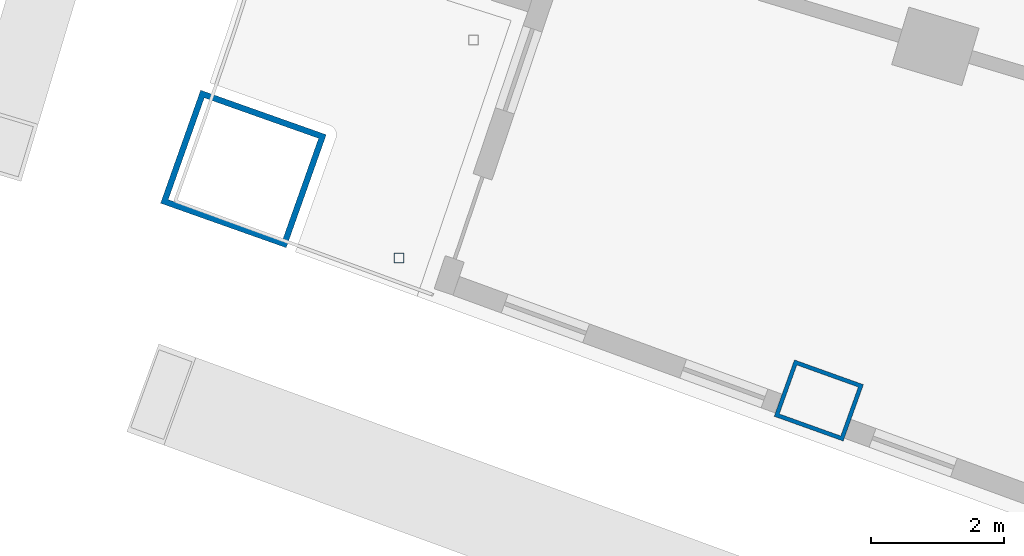
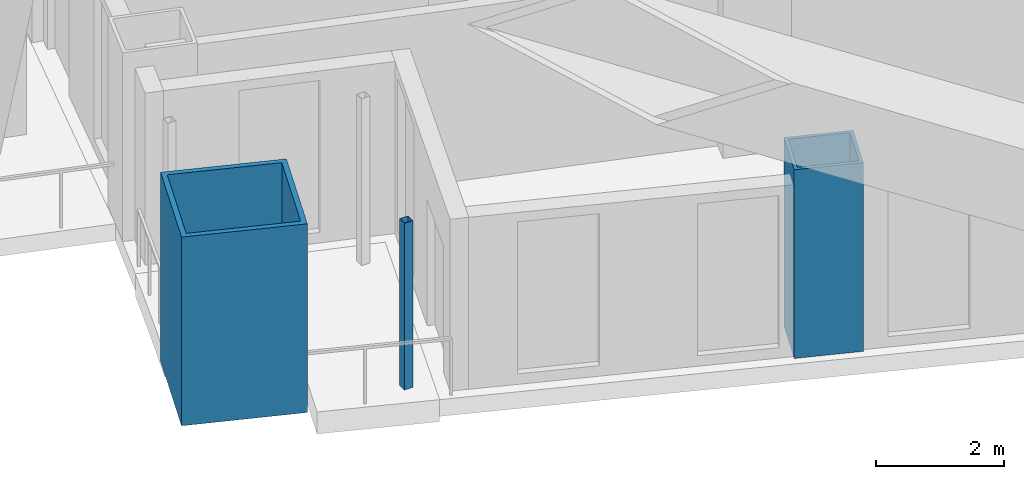
# One storey, part 1 of 25: 3 columns.
"""IFC4 building model written with IfcOpenShell, lengths in metres."""

import ifcopenshell
import ifcopenshell.guid

model = None  # the IFC model being written
_history = None  # IfcOwnerHistory: only IFC2X3 demands one
_inside = {}  # id of a spatial element -> (the spatial element, [elements in it])
_under = {}  # id of a project, library or spatial element -> (it, [spatial elements below it])
_declared = {}  # id of a project -> (the project, [libraries it declares])
_typed = {}  # id of a type object -> (the type object, [elements of that type])
_made_of = {}  # id of a material, layer set ... -> (it, [elements and type objects made of it])


def new_model(schema):
    """Start an empty IFC model of exactly this schema.

    Asked for "IFC4X3", IfcOpenShell would pick the latest addendum, in which some entities
    have other attributes; the version numbers below select the first issue.
    IFC2X3 requires an IfcOwnerHistory on every rooted entity: one is made here for all.
    """
    global model, _history
    if schema == "IFC4X3":
        model = ifcopenshell.file(schema_version=(4, 3, 0, 0))
    else:
        model = ifcopenshell.file(schema=schema)
    _inside.clear()
    _under.clear()
    _declared.clear()
    _typed.clear()
    _made_of.clear()
    _history = None
    if model.schema == "IFC2X3":
        org = make("IfcOrganization", Name="unknown")
        user = make(
            "IfcPersonAndOrganization",
            ThePerson=make("IfcPerson", FamilyName="unknown"),
            TheOrganization=org,
        )
        app = make(
            "IfcApplication",
            ApplicationDeveloper=org,
            Version="unknown",
            ApplicationFullName="unknown",
            ApplicationIdentifier="unknown",
        )
        _history = make(
            "IfcOwnerHistory",
            OwningUser=user,
            OwningApplication=app,
            ChangeAction="ADDED",
            CreationDate=0,
        )
    return model


def make(cls, **values):
    """One entity of the class cls with the attributes given. An attribute that is None is left unset."""
    return model.create_entity(
        cls, **{name: value for name, value in values.items() if value is not None}
    )


def rooted(cls, **values):
    """An entity with a GlobalId (a new one), such as an element, a storey or a relation."""
    return make(cls, GlobalId=ifcopenshell.guid.new(), OwnerHistory=_history, **values)


def si_unit(unit_type, name, prefix=None):
    """IfcSIUnit, for example si_unit("LENGTHUNIT", "METRE", prefix="MILLI")."""
    return make("IfcSIUnit", UnitType=unit_type, Prefix=prefix, Name=name)


def assignment(units):
    """IfcUnitAssignment: the units of a project."""
    return None if units is None else make("IfcUnitAssignment", Units=units)


def point(xyz):
    """IfcCartesianPoint."""
    return None if xyz is None else make("IfcCartesianPoint", Coordinates=xyz)


def direction(xyz):
    """IfcDirection."""
    return None if xyz is None else make("IfcDirection", DirectionRatios=xyz)


def frame(location, z_axis=None, x_axis=None):
    """IfcAxis2Placement3D, a coordinate frame: its origin and axes. An axis left out is left unset."""
    return make(
        "IfcAxis2Placement3D",
        Location=point(location),
        Axis=direction(z_axis),
        RefDirection=direction(x_axis),
    )


def frame_2d(location, x_axis=None):
    """IfcAxis2Placement2D, a coordinate frame in the plane: its origin and x axis."""
    return make(
        "IfcAxis2Placement2D", Location=point(location), RefDirection=direction(x_axis)
    )


def origin():
    """The frame at (0, 0, 0) with its axes left unset."""
    return frame((0.0, 0.0, 0.0))


def origin_2d():
    """The frame at (0, 0) in the plane with its x axis left unset."""
    return frame_2d((0.0, 0.0))


def place(relative_to, where):
    """IfcLocalPlacement: puts the frame where relative to a parent placement (None: the world)."""
    return make(
        "IfcLocalPlacement", PlacementRelTo=relative_to, RelativePlacement=where
    )


def context(
    kind, dimensions, precision=None, world=None, true_north=None, identifier=None
):
    """IfcGeometricRepresentationContext, for example the 3D "Model" context."""
    return make(
        "IfcGeometricRepresentationContext",
        ContextIdentifier=identifier,
        ContextType=kind,
        CoordinateSpaceDimension=dimensions,
        Precision=precision,
        WorldCoordinateSystem=world,
        TrueNorth=true_north,
    )


def subcontext(parent, identifier, kind, view, scale=None):
    """IfcGeometricRepresentationSubContext, for example "Body" below "Model"."""
    return make(
        "IfcGeometricRepresentationSubContext",
        ContextIdentifier=identifier,
        ContextType=kind,
        ParentContext=parent,
        TargetScale=scale,
        TargetView=view,
    )


def project(units=None, contexts=None):
    """IfcProject with its units and contexts."""
    return rooted(
        "IfcProject",
        Name="project",
        RepresentationContexts=contexts,
        UnitsInContext=assignment(units),
    )


def spatial(cls, under=None, at=None, **own):
    """A site, building, storey or space (cls), placed at a placement, below another one or the project."""
    s = rooted(cls, ObjectPlacement=at, **own)
    if under is not None:
        _under.setdefault(under.id(), (under, []))[1].append(s)
    return s


def profile(cls, at=None, kind="AREA", **sizes):
    """A parametric profile (cls). Its sizes go by their IFC names, for example OverallWidth=200.0."""
    return make(cls, ProfileType=kind, Position=at, **sizes)


def hollow_rectangle(**sizes):
    """IfcRectangleHollowProfileDef."""
    return profile("IfcRectangleHollowProfileDef", **sizes)


def extrude(swept, where, along, depth):
    """IfcExtrudedAreaSolid: the profile swept, set in the frame where, extruded along a direction by depth."""
    return make(
        "IfcExtrudedAreaSolid",
        SweptArea=swept,
        Position=where,
        ExtrudedDirection=direction(along),
        Depth=depth,
    )


def shape(context_of_items, identifier, shape_type, items):
    """IfcShapeRepresentation: the items that make up one representation, for example the "Body"."""
    return make(
        "IfcShapeRepresentation",
        ContextOfItems=context_of_items,
        RepresentationIdentifier=identifier,
        RepresentationType=shape_type,
        Items=items,
    )


def material(Name=None, Category=None):
    """IfcMaterial."""
    return make("IfcMaterial", Name=Name, Category=Category)


def material_profile(
    of_material, cross_section, Name=None, Category=None, Priority=None
):
    """IfcMaterialProfile: a cross section and its material."""
    return make(
        "IfcMaterialProfile",
        Name=Name,
        Material=of_material,
        Profile=cross_section,
        Priority=Priority,
        Category=Category,
    )


def profile_set(profiles, Name=None, composite=None):
    """IfcMaterialProfileSet."""
    return make(
        "IfcMaterialProfileSet",
        Name=Name,
        MaterialProfiles=profiles,
        CompositeProfile=composite,
    )


def made_of(thing, what):
    """Note that an element or type object is made of a material, layer set ...; save() writes the relation."""
    if what is not None:
        _made_of.setdefault(what.id(), (what, []))[1].append(thing)
    return thing


def type_object(cls, material=None, **own):
    """A type object (cls), such as IfcWallType, which elements share."""
    return made_of(rooted(cls, **own), material)


def element(
    cls,
    number,
    at=None,
    inside=None,
    cuts=None,
    type_object=None,
    material=None,
    context=None,
    identifier="Body",
    shape_type=None,
    held_by="IfcProductDefinitionShape",
    body=None,
    shapes=None,
    **own,
):
    """One element of the class cls, such as IfcWall. Its Tag is "e" and its number.

    at: its placement. inside: the storey or other place that contains it. cuts: it is an
    opening in that element (IfcRelVoidsElement). A single representation is given by context,
    identifier, shape_type and body (its items); several are given by shapes. held_by: the class
    of the entity that holds the representations. save() writes the other relations.
    """
    e = rooted(cls, Tag="e%d" % number, ObjectPlacement=at, **own)
    if body is not None:
        shapes = [shape(context, identifier, shape_type, body)]
    if shapes is not None:
        e.Representation = make(held_by, Representations=shapes)
    if inside is not None:
        _inside.setdefault(inside.id(), (inside, []))[1].append(e)
    if cuts is not None:
        rooted(
            "IfcRelVoidsElement", RelatingBuildingElement=cuts, RelatedOpeningElement=e
        )
    if type_object is not None:
        _typed.setdefault(type_object.id(), (type_object, []))[1].append(e)
    return made_of(e, material)


def aggregate(whole, parts):
    """IfcRelAggregates: a whole, such as a stair, and the parts it consists of."""
    return rooted("IfcRelAggregates", RelatingObject=whole, RelatedObjects=parts)


def save(model, path):
    """Write the relations noted so far, then the file.

    IfcRelAggregates (storeys below a building ...), IfcRelContainedInSpatialStructure (elements
    in a storey), IfcRelDefinesByType, IfcRelAssociatesMaterial and IfcRelDeclares: one each for
    every whole, place, type object, material and project.
    """
    for whole, parts in _under.values():
        aggregate(whole, parts)
    for where, things in _inside.values():
        rooted(
            "IfcRelContainedInSpatialStructure",
            RelatedElements=things,
            RelatingStructure=where,
        )
    for kind, things in _typed.values():
        rooted("IfcRelDefinesByType", RelatedObjects=things, RelatingType=kind)
    for what, things in _made_of.values():
        rooted("IfcRelAssociatesMaterial", RelatedObjects=things, RelatingMaterial=what)
    for by, libraries in _declared.values():
        rooted("IfcRelDeclares", RelatingContext=by, RelatedDefinitions=libraries)
    model.write(path)


model = new_model("IFC4")

# Units and contexts
model_context = context("Model", 3, precision=1e-05, world=origin(), true_north=direction((0.0, 1.0)))
body_context = subcontext(model_context, "Body", "Model", "MODEL_VIEW")
ifc_project = project(units=[si_unit("LENGTHUNIT", "METRE"), si_unit("AREAUNIT", "SQUARE_METRE"), si_unit("VOLUMEUNIT", "CUBIC_METRE"), si_unit("PLANEANGLEUNIT", "RADIAN"), si_unit("MASSUNIT", "GRAM", prefix="KILO")], contexts=[model_context])

# Site, building, storey
site_placement = place(None, origin())
site = spatial("IfcSite", under=ifc_project, at=site_placement, CompositionType="ELEMENT")
building_placement = place(site_placement, origin())
building = spatial("IfcBuilding", under=site, at=building_placement, Name="Alderwake Tower", CompositionType="ELEMENT")
storey_placement = place(building_placement, frame((0.0, 0.0, 42.800048828125)))
storey = spatial("IfcBuildingStorey", under=building, at=storey_placement, Name="L09", CompositionType="ELEMENT", Elevation=42.800048828125)

# Columns
ifc_material_1 = material(Name="Steel ASTM A572 Grade 50 concrete filled C70/85", Category="concrete")
ifc_material_profile_1 = material_profile(ifc_material_1, hollow_rectangle(XDim=0.89990234375, YDim=1.10009765625, WallThickness=0.06005859375, at=origin_2d()), Name="BOX 1100X900X60")
ifc_profile_set_1 = profile_set([ifc_material_profile_1], Name="Steel ASTM A572 Grade 50 concrete filled C70/85")
column_type_1 = type_object("IfcColumnType", Name="End column Z1", PredefinedType="COLUMN", material=ifc_profile_set_1)
column_1_placement = place(storey_placement, frame((19.965576171875, 25.1484375, 0.0), z_axis=(0.0, 0.0, 1.0), x_axis=(0.337584879279, 0.9412950915, 0.0)))
element("IfcColumn", 1, at=column_1_placement, inside=storey, type_object=column_type_1, Name="Column R01-C1", PredefinedType="COLUMN", context=body_context, shape_type="SweptSolid", body=[
    extrude(hollow_rectangle(XDim=0.89990234375, YDim=1.10009765625, WallThickness=0.06005859375, at=origin_2d()), origin(), (0.0, 0.0, 1.0), 3.599853515625),
])
ifc_material_2 = material(Name="Steel ASTM A500 Grade C", Category="steel")
ifc_material_profile_2 = material_profile(ifc_material_2, hollow_rectangle(XDim=0.15234375, YDim=0.15234375, WallThickness=0.0087890625, at=origin_2d()), Name="HSS6X6X3/8")
ifc_profile_set_2 = profile_set([ifc_material_profile_2], Name="Steel ASTM A500 Grade C")
column_type_2 = type_object("IfcColumnType", Name="Light post HSS6X6X3/8", PredefinedType="COLUMN", material=ifc_profile_set_2)
column_2_placement = place(storey_placement, frame((13.66796875, 27.28759765625, 0.0), z_axis=(0.0, 0.0, 1.0), x_axis=(1.0, 0.0, 0.0)))
element("IfcColumn", 2, at=column_2_placement, inside=storey, type_object=column_type_2, Name="Terrace post RS2", PredefinedType="COLUMN", context=body_context, shape_type="SweptSolid", body=[
    extrude(hollow_rectangle(XDim=0.15234375, YDim=0.15234375, WallThickness=0.0087890625, at=origin_2d()), origin(), (0.0, 0.0, 1.0), 3.179931640625),
])
ifc_material_3 = material(Name="Steel ASTM A572 Grade 50 concrete filled C70/85", Category="concrete")
ifc_material_profile_3 = material_profile(ifc_material_3, hollow_rectangle(XDim=1.800048828125, YDim=2.0, WallThickness=0.090087890625, at=origin_2d()), Name="BOX 2000X1800X90")
ifc_profile_set_3 = profile_set([ifc_material_profile_3], Name="Steel ASTM A572 Grade 50 concrete filled C70/85")
column_type_3 = type_object("IfcColumnType", Name="Mega column Z1", PredefinedType="COLUMN", material=ifc_profile_set_3)
column_3_placement = place(storey_placement, frame((11.330810546875, 28.622802734375, 0.0), z_axis=(0.0, 0.0, 1.0), x_axis=(0.334130947791, 0.942526662609, 0.0)))
element("IfcColumn", 3, at=column_3_placement, inside=storey, type_object=column_type_3, Name="Column R01-C0", PredefinedType="COLUMN", context=body_context, shape_type="SweptSolid", body=[
    extrude(hollow_rectangle(XDim=1.800048828125, YDim=2.0, WallThickness=0.090087890625, at=origin_2d()), origin(), (0.0, 0.0, 1.0), 3.599853515625),
])

save(model, "model.ifc")
